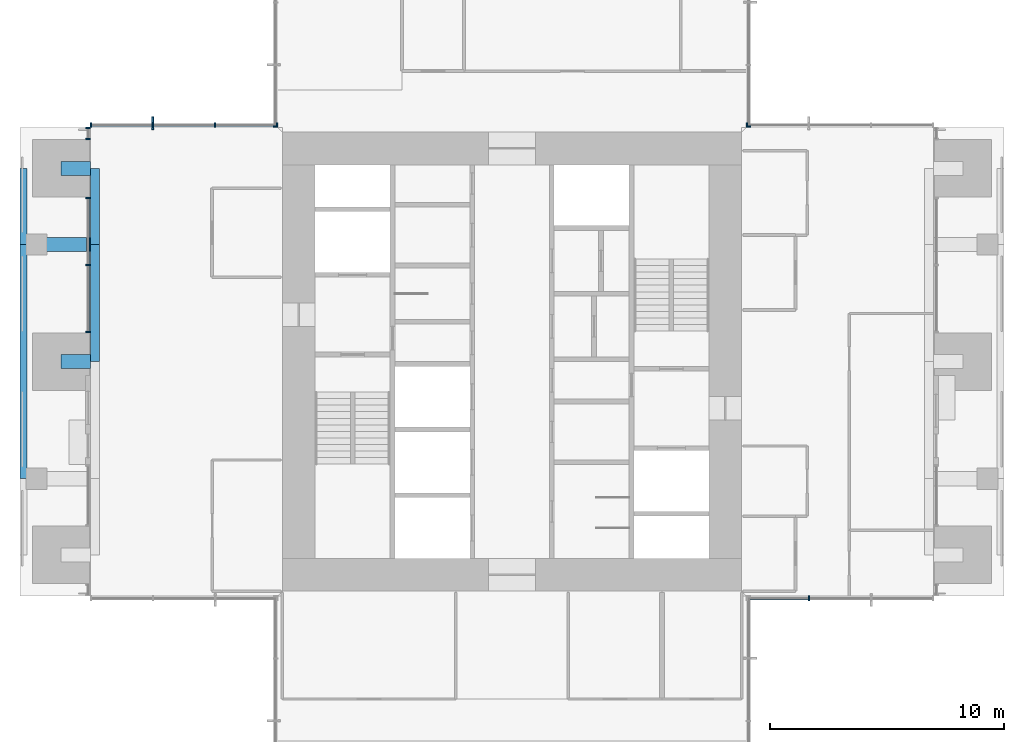
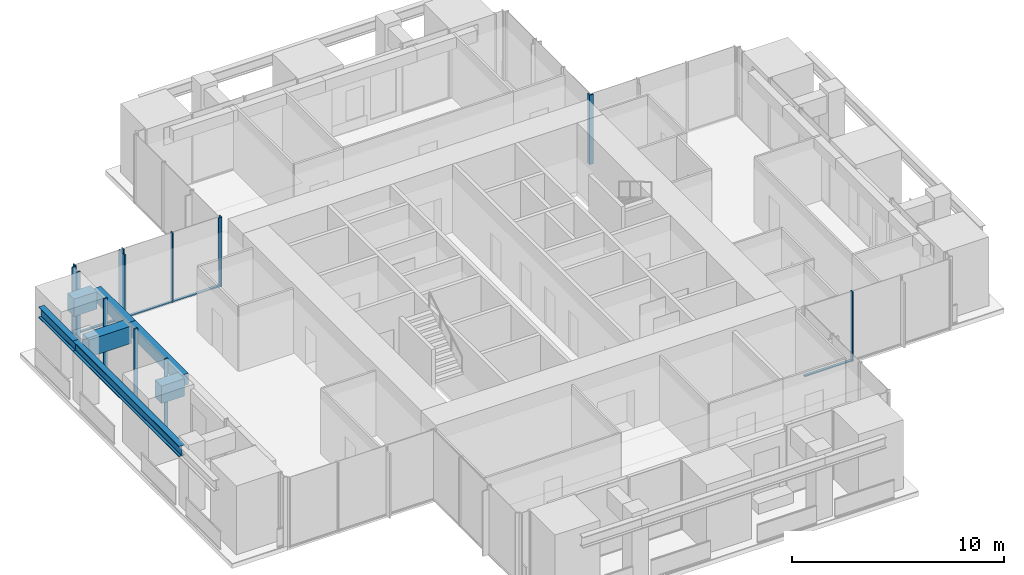
# One storey, part 3 of 17: 20 members, 7 beams, 7 elements without a shape of their own.
"""IFC4 building model written with IfcOpenShell, lengths in metres."""

from ifc_helpers import new_model, si_unit, direction, frame, origin, origin_2d, place, context, subcontext, project, spatial, rectangle, i_section, extrude, material, material_profile, profile_set, type_object, element, aggregate, save


model = new_model("IFC4")

# Units and contexts
model_context = context("Model", 3, precision=1e-05, world=origin(), true_north=direction((0.0, 1.0)))
body_context = subcontext(model_context, "Body", "Model", "MODEL_VIEW")
ifc_project = project(units=[si_unit("LENGTHUNIT", "METRE"), si_unit("AREAUNIT", "SQUARE_METRE"), si_unit("VOLUMEUNIT", "CUBIC_METRE"), si_unit("PLANEANGLEUNIT", "RADIAN"), si_unit("MASSUNIT", "GRAM", prefix="KILO")], contexts=[model_context])

# Site, building, storey
site_placement = place(None, origin())
site = spatial("IfcSite", under=ifc_project, at=site_placement, CompositionType="ELEMENT")
building_placement = place(site_placement, origin())
building = spatial("IfcBuilding", under=site, at=building_placement, Name="Svetlomir Tower", CompositionType="ELEMENT")
storey_placement = place(building_placement, frame((0.0, 0.0, 226.5)))
storey = spatial("IfcBuildingStorey", under=building, at=storey_placement, Name="L54", CompositionType="ELEMENT", Elevation=226.5)

# Curtain wall, member
ifc_material_1 = material(Name="Bronze anodised aluminium curtain wall", Category="aluminium")
curtain_wall_type = type_object("IfcCurtainWallType", Name="CURTAIN WALL CW1 TOWER OFFICE", PredefinedType="NOTDEFINED", material=ifc_material_1)
curtain_wall_1_placement = place(storey_placement, origin())
curtain_wall_1 = element("IfcCurtainWall", 1, at=curtain_wall_1_placement, inside=storey, type_object=curtain_wall_type, Name="Curtain wall CW1 L54", PredefinedType="NOTDEFINED")
ifc_material_2 = material(Name="Bronze anodised aluminium", Category="aluminium")
ifc_material_profile_1 = material_profile(ifc_material_2, rectangle(XDim=0.080078125, YDim=0.550048828125, at=origin_2d()), Name="FIN 80x550")
ifc_profile_set_1 = profile_set([ifc_material_profile_1], Name="Bronze anodised aluminium 6063-T6")
member_type_1 = type_object("IfcMemberType", Name="BRONZE FIN 80x550", PredefinedType="USERDEFINED", material=ifc_profile_set_1)
member_1_placement = place(storey_placement, frame((5.666748046875, 31.175048828125, 0.0), z_axis=(0.0, 0.0, 1.0), x_axis=(1.0, 0.0, 0.0)))
member_1 = element("IfcMember", 2, at=member_1_placement, type_object=member_type_1, Name="Bronze fin L54", ObjectType="FIN", PredefinedType="USERDEFINED", context=body_context, shape_type="SweptSolid", body=[
    extrude(rectangle(XDim=0.080078125, YDim=0.550048828125, at=origin_2d()), origin(), (0.0, 0.0, 1.0), 3.75),
])

curtain_wall_2_placement = place(storey_placement, origin())
curtain_wall_2 = element("IfcCurtainWall", 3, at=curtain_wall_2_placement, inside=storey, type_object=curtain_wall_type, Name="Curtain wall CW1 L54", PredefinedType="NOTDEFINED")
ifc_material_3 = material(Name="Bronze anodised aluminium", Category="aluminium")
ifc_material_profile_2 = material_profile(ifc_material_3, rectangle(XDim=0.06494140625, YDim=0.199951171875, at=origin_2d()), Name="AL 65x200")
ifc_profile_set_2 = profile_set([ifc_material_profile_2], Name="Bronze anodised aluminium 6063-T6")
member_type_2 = type_object("IfcMemberType", Name="CW1 MULLION 65x200", PredefinedType="MULLION", material=ifc_profile_set_2)
member_2_placement = place(storey_placement, frame((33.666748046875, 10.89990234375, 0.0), z_axis=(0.0, 0.0, 1.0), x_axis=(1.0, 0.0, 0.0)))
member_2 = element("IfcMember", 4, at=member_2_placement, type_object=member_type_2, Name="CW1 mullion 2", PredefinedType="MULLION", context=body_context, shape_type="SweptSolid", body=[
    extrude(rectangle(XDim=0.06494140625, YDim=0.199951171875, at=origin_2d()), origin(), (0.0, 0.0, 1.0), 4.0),
])

curtain_wall_3_placement = place(storey_placement, origin())
curtain_wall_3 = element("IfcCurtainWall", 5, at=curtain_wall_3_placement, inside=storey, type_object=curtain_wall_type, Name="Curtain wall CW1 L54", PredefinedType="NOTDEFINED")
member_3_placement = place(storey_placement, frame((31.032470703125, 31.10009765625, 0.0), z_axis=(0.0, 0.0, 1.0), x_axis=(-1.0, 0.0, 0.0)))
member_3 = element("IfcMember", 6, at=member_3_placement, type_object=member_type_2, Name="CW1 mullion 4", PredefinedType="MULLION", context=body_context, shape_type="SweptSolid", body=[
    extrude(rectangle(XDim=0.06494140625, YDim=0.199951171875, at=origin_2d()), origin(), (0.0, 0.0, 1.0), 4.0),
])
aggregate(curtain_wall_3, [member_3])

curtain_wall_4_placement = place(storey_placement, origin())
curtain_wall_4 = element("IfcCurtainWall", 7, at=curtain_wall_4_placement, inside=storey, type_object=curtain_wall_type, Name="Curtain wall CW1 L54", PredefinedType="NOTDEFINED")
member_4_placement = place(storey_placement, frame((31.10009765625, 31.032470703125, 0.0), z_axis=(0.0, 0.0, 1.0), x_axis=(0.0, 1.0, 0.0)))
member_4 = element("IfcMember", 8, at=member_4_placement, type_object=member_type_2, Name="CW1 mullion 1", PredefinedType="MULLION", context=body_context, shape_type="SweptSolid", body=[
    extrude(rectangle(XDim=0.06494140625, YDim=0.199951171875, at=origin_2d()), origin(), (0.0, 0.0, 1.0), 4.0),
])
aggregate(curtain_wall_4, [member_4])

curtain_wall_5_placement = place(storey_placement, origin())
curtain_wall_5 = element("IfcCurtainWall", 9, at=curtain_wall_5_placement, inside=storey, type_object=curtain_wall_type, Name="Curtain wall CW1 L54", PredefinedType="NOTDEFINED")
member_5_placement = place(storey_placement, frame((10.89990234375, 31.032470703125, 0.0), z_axis=(0.0, 0.0, 1.0), x_axis=(0.0, -1.0, 0.0)))
member_5 = element("IfcMember", 10, at=member_5_placement, type_object=member_type_2, Name="CW1 mullion 4", PredefinedType="MULLION", context=body_context, shape_type="SweptSolid", body=[
    extrude(rectangle(XDim=0.06494140625, YDim=0.199951171875, at=origin_2d()), origin(), (0.0, 0.0, 1.0), 4.0),
])
aggregate(curtain_wall_5, [member_5])

# Member
member_6_placement = place(storey_placement, frame((10.967529296875, 31.10009765625, 0.0), z_axis=(0.0, 0.0, 1.0), x_axis=(-1.0, 0.0, 0.0)))
member_6 = element("IfcMember", 11, at=member_6_placement, type_object=member_type_2, Name="CW1 mullion 1", PredefinedType="MULLION", context=body_context, shape_type="SweptSolid", body=[
    extrude(rectangle(XDim=0.06494140625, YDim=0.199951171875, at=origin_2d()), origin(), (0.0, 0.0, 1.0), 4.0),
])

member_7_placement = place(storey_placement, frame((8.333251953125, 31.10009765625, 0.0), z_axis=(0.0, 0.0, 1.0), x_axis=(-1.0, 0.0, 0.0)))
member_7 = element("IfcMember", 12, at=member_7_placement, type_object=member_type_2, Name="CW1 mullion 2", PredefinedType="MULLION", context=body_context, shape_type="SweptSolid", body=[
    extrude(rectangle(XDim=0.06494140625, YDim=0.199951171875, at=origin_2d()), origin(), (0.0, 0.0, 1.0), 4.0),
])

member_8_placement = place(storey_placement, frame((5.666748046875, 31.10009765625, 0.0), z_axis=(0.0, 0.0, 1.0), x_axis=(-1.0, 0.0, 0.0)))
member_8 = element("IfcMember", 13, at=member_8_placement, type_object=member_type_2, Name="CW1 mullion 3", PredefinedType="MULLION", context=body_context, shape_type="SweptSolid", body=[
    extrude(rectangle(XDim=0.06494140625, YDim=0.199951171875, at=origin_2d()), origin(), (0.0, 0.0, 1.0), 4.0),
])

member_9_placement = place(storey_placement, frame((3.032470703125, 31.10009765625, 0.0), z_axis=(0.0, 0.0, 1.0), x_axis=(-1.0, 0.0, 0.0)))
member_9 = element("IfcMember", 14, at=member_9_placement, type_object=member_type_2, Name="CW1 mullion 4", PredefinedType="MULLION", context=body_context, shape_type="SweptSolid", body=[
    extrude(rectangle(XDim=0.06494140625, YDim=0.199951171875, at=origin_2d()), origin(), (0.0, 0.0, 1.0), 4.0),
])

# Curtain wall, members
curtain_wall_6_placement = place(storey_placement, origin())
curtain_wall_6 = element("IfcCurtainWall", 15, at=curtain_wall_6_placement, inside=storey, type_object=curtain_wall_type, Name="Curtain wall CW1 L54", PredefinedType="NOTDEFINED")
member_10_placement = place(storey_placement, frame((2.89990234375, 30.967529296875, 0.0), z_axis=(0.0, 0.0, 1.0), x_axis=(0.0, -1.0, 0.0)))
member_10 = element("IfcMember", 16, at=member_10_placement, type_object=member_type_2, Name="CW1 mullion 1", PredefinedType="MULLION", context=body_context, shape_type="SweptSolid", body=[
    extrude(rectangle(XDim=0.06494140625, YDim=0.199951171875, at=origin_2d()), origin(), (0.0, 0.0, 1.0), 4.0),
])
member_11_placement = place(storey_placement, frame((2.89990234375, 30.507568359375, 0.0), z_axis=(0.0, 0.0, 1.0), x_axis=(0.0, -1.0, 0.0)))
member_11 = element("IfcMember", 17, at=member_11_placement, type_object=member_type_2, Name="CW1 mullion 2", PredefinedType="MULLION", context=body_context, shape_type="SweptSolid", body=[
    extrude(rectangle(XDim=0.06494140625, YDim=0.199951171875, at=origin_2d()), origin(), (0.0, 0.0, 1.0), 4.0),
])
aggregate(curtain_wall_6, [member_10, member_11])

curtain_wall_7_placement = place(storey_placement, origin())
curtain_wall_7 = element("IfcCurtainWall", 18, at=curtain_wall_7_placement, inside=storey, type_object=curtain_wall_type, Name="Curtain wall CW1 L54", PredefinedType="NOTDEFINED")
member_12_placement = place(storey_placement, frame((2.89990234375, 27.992431640625, 0.0), z_axis=(0.0, 0.0, 1.0), x_axis=(0.0, -1.0, 0.0)))
member_12 = element("IfcMember", 19, at=member_12_placement, type_object=member_type_2, Name="CW1 mullion 1", PredefinedType="MULLION", context=body_context, shape_type="SweptSolid", body=[
    extrude(rectangle(XDim=0.06494140625, YDim=0.199951171875, at=origin_2d()), origin(), (0.0, 0.0, 1.0), 4.0),
])
member_13_placement = place(storey_placement, frame((2.89990234375, 25.125, 0.0), z_axis=(0.0, 0.0, 1.0), x_axis=(0.0, -1.0, 0.0)))
member_13 = element("IfcMember", 20, at=member_13_placement, type_object=member_type_2, Name="CW1 mullion 2", PredefinedType="MULLION", context=body_context, shape_type="SweptSolid", body=[
    extrude(rectangle(XDim=0.06494140625, YDim=0.199951171875, at=origin_2d()), origin(), (0.0, 0.0, 1.0), 4.0),
])
member_14_placement = place(storey_placement, frame((2.89990234375, 22.257568359375, 0.0), z_axis=(0.0, 0.0, 1.0), x_axis=(0.0, -1.0, 0.0)))
member_14 = element("IfcMember", 21, at=member_14_placement, type_object=member_type_2, Name="CW1 mullion 3", PredefinedType="MULLION", context=body_context, shape_type="SweptSolid", body=[
    extrude(rectangle(XDim=0.06494140625, YDim=0.199951171875, at=origin_2d()), origin(), (0.0, 0.0, 1.0), 4.0),
])

# Member
ifc_material_4 = material(Name="Bronze anodised aluminium", Category="aluminium")
ifc_material_profile_3 = material_profile(ifc_material_4, rectangle(XDim=0.139892578125, YDim=0.06494140625, at=origin_2d()), Name="AL 140x65")
ifc_profile_set_3 = profile_set([ifc_material_profile_3], Name="Bronze anodised aluminium 6063-T6")
member_type_3 = type_object("IfcMemberType", Name="CW1 TRANSOM 65x140", PredefinedType="USERDEFINED", material=ifc_profile_set_3)
member_15_placement = place(storey_placement, frame((31.06494140625, 10.89990234375, 0.032470703125), z_axis=(1.0, 0.0, 0.0), x_axis=(0.0, 1.0, 0.0)))
member_15 = element("IfcMember", 22, at=member_15_placement, type_object=member_type_3, Name="CW1 transom 1.1", ObjectType="TRANSOM", PredefinedType="USERDEFINED", context=body_context, shape_type="SweptSolid", body=[
    extrude(rectangle(XDim=0.139892578125, YDim=0.06494140625, at=origin_2d()), origin(), (0.0, 0.0, 1.0), 2.5693359375),
])

aggregate(curtain_wall_2, [member_2, member_15])

member_16_placement = place(storey_placement, frame((10.93505859375, 31.10009765625, 0.032470703125), z_axis=(-1.0, 0.0, 0.0), x_axis=(0.0, -1.0, 0.0)))
member_16 = element("IfcMember", 23, at=member_16_placement, type_object=member_type_3, Name="CW1 transom 1.1", ObjectType="TRANSOM", PredefinedType="USERDEFINED", context=body_context, shape_type="SweptSolid", body=[
    extrude(rectangle(XDim=0.139892578125, YDim=0.06494140625, at=origin_2d()), origin(), (0.0, 0.0, 1.0), 2.5693359375),
])

member_17_placement = place(storey_placement, frame((8.30078125, 31.10009765625, 0.032470703125), z_axis=(-1.0, 0.0, 0.0), x_axis=(0.0, -1.0, 0.0)))
member_17 = element("IfcMember", 24, at=member_17_placement, type_object=member_type_3, Name="CW1 transom 2.1", ObjectType="TRANSOM", PredefinedType="USERDEFINED", context=body_context, shape_type="SweptSolid", body=[
    extrude(rectangle(XDim=0.139892578125, YDim=0.06494140625, at=origin_2d()), origin(), (0.0, 0.0, 1.0), 2.6015625),
])

member_18_placement = place(storey_placement, frame((5.63427734375, 31.10009765625, 0.032470703125), z_axis=(-1.0, 0.0, 0.0), x_axis=(0.0, -1.0, 0.0)))
member_18 = element("IfcMember", 25, at=member_18_placement, type_object=member_type_3, Name="CW1 transom 3.1", ObjectType="TRANSOM", PredefinedType="USERDEFINED", context=body_context, shape_type="SweptSolid", body=[
    extrude(rectangle(XDim=0.139892578125, YDim=0.06494140625, at=origin_2d()), origin(), (0.0, 0.0, 1.0), 2.5693359375),
])

aggregate(curtain_wall_1, [member_6, member_7, member_8, member_9, member_16, member_17, member_18, member_1])

member_19_placement = place(storey_placement, frame((2.89990234375, 27.9599609375, 0.032470703125), z_axis=(0.0, -1.0, 0.0), x_axis=(1.0, 0.0, 0.0)))
member_19 = element("IfcMember", 26, at=member_19_placement, type_object=member_type_3, Name="CW1 transom 1.1", ObjectType="TRANSOM", PredefinedType="USERDEFINED", context=body_context, shape_type="SweptSolid", body=[
    extrude(rectangle(XDim=0.139892578125, YDim=0.06494140625, at=origin_2d()), origin(), (0.0, 0.0, 1.0), 2.802490234375),
])

member_20_placement = place(storey_placement, frame((2.89990234375, 25.092529296875, 0.032470703125), z_axis=(0.0, -1.0, 0.0), x_axis=(1.0, 0.0, 0.0)))
member_20 = element("IfcMember", 27, at=member_20_placement, type_object=member_type_3, Name="CW1 transom 2.1", ObjectType="TRANSOM", PredefinedType="USERDEFINED", context=body_context, shape_type="SweptSolid", body=[
    extrude(rectangle(XDim=0.139892578125, YDim=0.06494140625, at=origin_2d()), origin(), (0.0, 0.0, 1.0), 2.802490234375),
])

aggregate(curtain_wall_7, [member_12, member_13, member_14, member_19, member_20])

# Beams
ifc_material_5 = material(Name="Steel S355", Category="steel")
ifc_material_profile_4 = material_profile(ifc_material_5, i_section(OverallWidth=0.304931640625, OverallDepth=0.6201171875, WebThickness=0.02099609375, FlangeThickness=0.0400390625, FilletRadius=0.027099609375, at=origin_2d()), Name="HEM 600")
ifc_profile_set_4 = profile_set([ifc_material_profile_4], Name="Steel S355")
beam_type_1 = type_object("IfcBeamType", Name="EDGE BEAM HEM 600", PredefinedType="SPANDREL", material=ifc_profile_set_4)
beam_1_placement = place(storey_placement, frame((0.152587890625, 16.0, 3.43994140625), z_axis=(0.0, 1.0, 0.0), x_axis=(-1.0, 0.0, 0.0)))
element("IfcBeam", 28, at=beam_1_placement, inside=storey, type_object=beam_type_1, Name="Edge beam 0/16 to 0/26 under L55", PredefinedType="SPANDREL", context=body_context, shape_type="SweptSolid", body=[
    extrude(i_section(OverallWidth=0.304931640625, OverallDepth=0.6201171875, WebThickness=0.02099609375, FlangeThickness=0.0400390625, FilletRadius=0.027099609375, at=origin_2d()), origin(), (0.0, 0.0, 1.0), 10.0),
])
beam_2_placement = place(storey_placement, frame((0.152587890625, 26.0, 3.43994140625), z_axis=(0.0, 1.0, 0.0), x_axis=(-1.0, 0.0, 0.0)))
element("IfcBeam", 29, at=beam_2_placement, inside=storey, type_object=beam_type_1, Name="Edge beam 0/26 to 0/31 under L55", PredefinedType="SPANDREL", context=body_context, shape_type="SweptSolid", body=[
    extrude(i_section(OverallWidth=0.304931640625, OverallDepth=0.6201171875, WebThickness=0.02099609375, FlangeThickness=0.0400390625, FilletRadius=0.027099609375, at=origin_2d()), origin(), (0.0, 0.0, 1.0), 3.25),
])
ifc_material_6 = material(Name="Concrete C60/75", Category="concrete")
ifc_material_profile_5 = material_profile(ifc_material_6, rectangle(XDim=0.39990234375, YDim=0.64990234375, at=origin_2d()), Name="RC 400x650")
ifc_profile_set_5 = profile_set([ifc_material_profile_5], Name="Concrete C60/75")
beam_type_2 = type_object("IfcBeamType", Name="FACADE EDGE BEAM RC 400x650", PredefinedType="BEAM", material=ifc_profile_set_5)
beam_3_placement = place(storey_placement, frame((3.199951171875, 21.0, 3.425048828125), z_axis=(0.0, 1.0, 0.0), x_axis=(-1.0, 0.0, 0.0)))
element("IfcBeam", 30, at=beam_3_placement, inside=storey, type_object=beam_type_2, Name="Facade edge beam W 21 to 26 under L55", PredefinedType="BEAM", context=body_context, shape_type="SweptSolid", body=[
    extrude(rectangle(XDim=0.39990234375, YDim=0.64990234375, at=origin_2d()), origin(), (0.0, 0.0, 1.0), 5.0),
])
beam_4_placement = place(storey_placement, frame((3.199951171875, 26.0, 3.425048828125), z_axis=(0.0, 1.0, 0.0), x_axis=(-1.0, 0.0, 0.0)))
element("IfcBeam", 31, at=beam_4_placement, inside=storey, type_object=beam_type_2, Name="Facade edge beam W 26 to 31 under L55", PredefinedType="BEAM", context=body_context, shape_type="SweptSolid", body=[
    extrude(rectangle(XDim=0.39990234375, YDim=0.64990234375, at=origin_2d()), origin(), (0.0, 0.0, 1.0), 3.25),
])
ifc_material_7 = material(Name="Concrete C60/75", Category="concrete")
ifc_material_profile_6 = material_profile(ifc_material_7, rectangle(XDim=0.60009765625, YDim=1.0, at=origin_2d()), Name="RC 600x1000")
ifc_profile_set_6 = profile_set([ifc_material_profile_6], Name="Concrete C60/75")
beam_type_3 = type_object("IfcBeamType", Name="LOGGIA LINK BEAM RC 600x1000", PredefinedType="BEAM", material=ifc_profile_set_6)
beam_5_placement = place(storey_placement, frame((1.75, 21.0, 3.25), z_axis=(1.0, 0.0, 0.0), x_axis=(0.0, 1.0, 0.0)))
element("IfcBeam", 32, at=beam_5_placement, inside=storey, type_object=beam_type_3, Name="Loggia link beam W 21 under L55", PredefinedType="BEAM", context=body_context, shape_type="SweptSolid", body=[
    extrude(rectangle(XDim=0.60009765625, YDim=1.0, at=origin_2d()), origin(), (0.0, 0.0, 1.0), 1.25),
])
beam_6_placement = place(storey_placement, frame((0.699951171875, 26.0, 3.25), z_axis=(1.0, 0.0, 0.0), x_axis=(0.0, 1.0, 0.0)))
element("IfcBeam", 33, at=beam_6_placement, inside=storey, type_object=beam_type_3, Name="Loggia link beam W 26 under L55", PredefinedType="BEAM", context=body_context, shape_type="SweptSolid", body=[
    extrude(rectangle(XDim=0.60009765625, YDim=1.0, at=origin_2d()), origin(), (0.0, 0.0, 1.0), 2.300048828125),
])
beam_7_placement = place(storey_placement, frame((1.75, 29.25, 3.25), z_axis=(1.0, 0.0, 0.0), x_axis=(0.0, 1.0, 0.0)))
element("IfcBeam", 34, at=beam_7_placement, inside=storey, type_object=beam_type_3, Name="Loggia link beam W 31 under L55", PredefinedType="BEAM", context=body_context, shape_type="SweptSolid", body=[
    extrude(rectangle(XDim=0.60009765625, YDim=1.0, at=origin_2d()), origin(), (0.0, 0.0, 1.0), 1.25),
])

save(model, "model.ifc")
